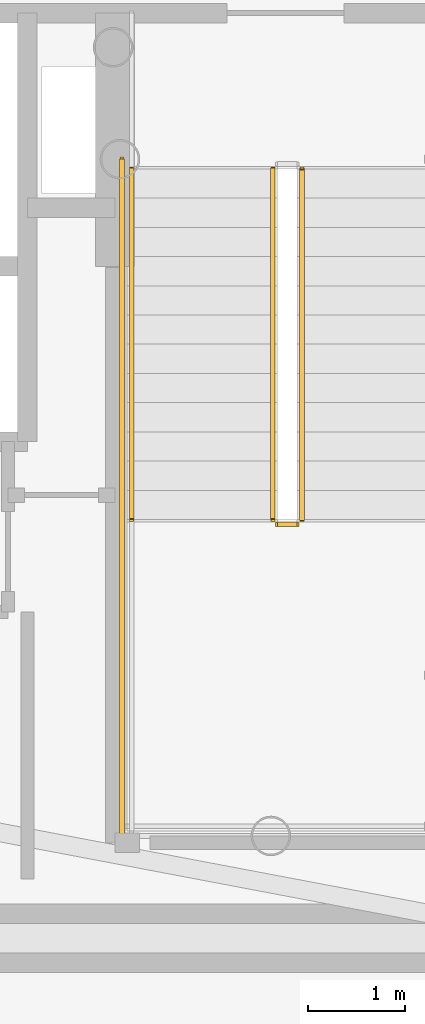
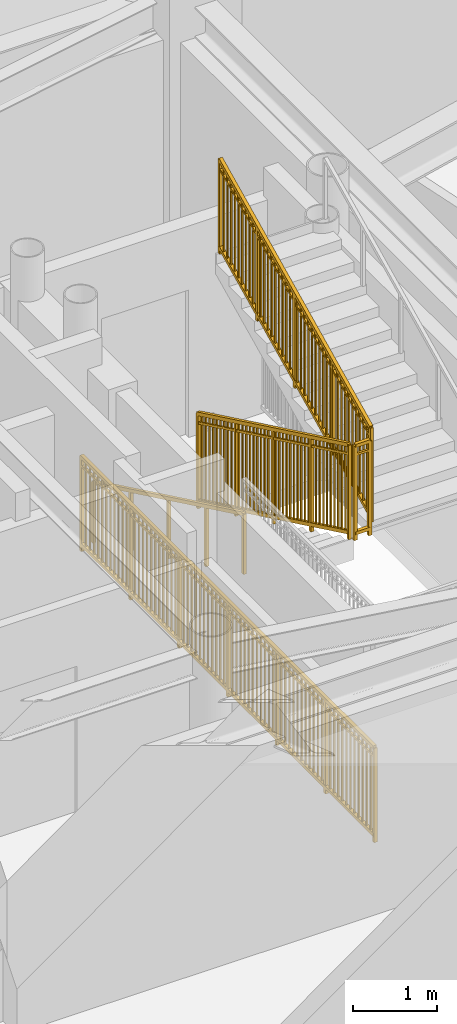
# One storey, part 16 of 19: 5 railings.
"""IFC4 building model written with IfcOpenShell, lengths in metres."""

from ifc_helpers import new_model, si_unit, direction, frame, origin, origin_2d, place, context, subcontext, project, spatial, rectangle, extrude, source, transform, mapped, material, type_object, element, save


model = new_model("IFC4")

# Units and contexts
model_context = context("Model", 3, precision=1e-05, world=origin(), true_north=direction((0.0, 1.0)))
body_context = subcontext(model_context, "Body", "Model", "MODEL_VIEW")
ifc_project = project(units=[si_unit("LENGTHUNIT", "METRE"), si_unit("AREAUNIT", "SQUARE_METRE"), si_unit("VOLUMEUNIT", "CUBIC_METRE"), si_unit("PLANEANGLEUNIT", "RADIAN"), si_unit("MASSUNIT", "GRAM", prefix="KILO")], contexts=[model_context])

# Site, building, storey
site_placement = place(None, origin())
site = spatial("IfcSite", under=ifc_project, at=site_placement, CompositionType="ELEMENT")
building_placement = place(site_placement, origin())
building = spatial("IfcBuilding", under=site, at=building_placement, Name="Linh Dai School and Residence Tower", CompositionType="ELEMENT")
storey_placement = place(building_placement, frame((0.0, 0.0, 247.800048828125)))
storey = spatial("IfcBuildingStorey", under=building, at=storey_placement, Name="L61", CompositionType="ELEMENT", Elevation=247.800048828125)

# Railings
ifc_material_1 = material(Name="Structural Steel S355JR", Category="steel")
railing_type_1 = type_object("IfcRailingType", Name="RL-ST-GUARD-1400", PredefinedType="GUARDRAIL", material=ifc_material_1)
shared_shape_1 = source(origin(), body_context, "Body", "SweptSolid", [
    extrude(rectangle(XDim=0.048095703125, YDim=0.048095703125, at=origin_2d()), frame((0.0, 0.0, 1.3759765625), z_axis=(0.0, 0.901262522062, 0.433273431364), x_axis=(-1.0, 0.0, 0.0)), (0.0, 0.0, 1.0), 3.994384765625),
    extrude(rectangle(XDim=0.048095703125, YDim=0.048095703125, at=origin_2d()), frame((0.0, 0.0, 0.10009765625), z_axis=(0.0, 0.901262522062, 0.433273431364), x_axis=(-1.0, 0.0, 0.0)), (0.0, 0.0, 1.0), 3.994384765625),
    extrude(rectangle(XDim=0.030029296875, YDim=0.030029296875, at=origin_2d()), frame((0.0, 0.0, 1.239990234375), z_axis=(0.0, 0.901262522062, 0.433273431364), x_axis=(-1.0, 0.0, 0.0)), (0.0, 0.0, 1.0), 3.994384765625),
    extrude(rectangle(XDim=0.02001953125, YDim=0.02001953125, at=origin_2d()), frame((0.0, 0.087890625, 0.142333984375)), (0.0, 0.0, 1.0), 1.251708984375),
    extrude(rectangle(XDim=0.02001953125, YDim=0.02001953125, at=origin_2d()), frame((0.0, 0.175537109375, 0.1845703125)), (0.0, 0.0, 1.0), 1.251708984375),
    extrude(rectangle(XDim=0.02001953125, YDim=0.02001953125, at=origin_2d()), frame((0.0, 0.263427734375, 0.226806640625)), (0.0, 0.0, 1.0), 1.251708984375),
    extrude(rectangle(XDim=0.02001953125, YDim=0.02001953125, at=origin_2d()), frame((0.0, 0.351318359375, 0.26904296875)), (0.0, 0.0, 1.0), 1.251708984375),
    extrude(rectangle(XDim=0.02001953125, YDim=0.02001953125, at=origin_2d()), frame((0.0, 0.43896484375, 0.311279296875)), (0.0, 0.0, 1.0), 1.251708984375),
    extrude(rectangle(XDim=0.02001953125, YDim=0.02001953125, at=origin_2d()), frame((0.0, 0.52685546875, 0.353271484375)), (0.0, 0.0, 1.0), 1.251708984375),
    extrude(rectangle(XDim=0.02001953125, YDim=0.02001953125, at=origin_2d()), frame((0.0, 0.61474609375, 0.3955078125)), (0.0, 0.0, 1.0), 1.251708984375),
    extrude(rectangle(XDim=0.02001953125, YDim=0.02001953125, at=origin_2d()), frame((0.0, 0.702392578125, 0.437744140625)), (0.0, 0.0, 1.0), 1.251708984375),
    extrude(rectangle(XDim=0.02001953125, YDim=0.02001953125, at=origin_2d()), frame((0.0, 0.790283203125, 0.47998046875)), (0.0, 0.0, 1.0), 1.251708984375),
    extrude(rectangle(XDim=0.02001953125, YDim=0.02001953125, at=origin_2d()), frame((0.0, 0.9658203125, 0.564453125)), (0.0, 0.0, 1.0), 1.251708984375),
    extrude(rectangle(XDim=0.02001953125, YDim=0.02001953125, at=origin_2d()), frame((0.0, 1.0537109375, 0.606689453125)), (0.0, 0.0, 1.0), 1.251708984375),
    extrude(rectangle(XDim=0.02001953125, YDim=0.02001953125, at=origin_2d()), frame((0.0, 1.1416015625, 0.64892578125)), (0.0, 0.0, 1.0), 1.251708984375),
    extrude(rectangle(XDim=0.02001953125, YDim=0.02001953125, at=origin_2d()), frame((0.0, 1.229248046875, 0.691162109375)), (0.0, 0.0, 1.0), 1.251708984375),
    extrude(rectangle(XDim=0.02001953125, YDim=0.02001953125, at=origin_2d()), frame((0.0, 1.317138671875, 0.7333984375)), (0.0, 0.0, 1.0), 1.251708984375),
    extrude(rectangle(XDim=0.02001953125, YDim=0.02001953125, at=origin_2d()), frame((0.0, 1.405029296875, 0.775390625)), (0.0, 0.0, 1.0), 1.251708984375),
    extrude(rectangle(XDim=0.02001953125, YDim=0.02001953125, at=origin_2d()), frame((0.0, 1.49267578125, 0.817626953125)), (0.0, 0.0, 1.0), 1.251708984375),
    extrude(rectangle(XDim=0.02001953125, YDim=0.02001953125, at=origin_2d()), frame((0.0, 1.58056640625, 0.85986328125)), (0.0, 0.0, 1.0), 1.251708984375),
    extrude(rectangle(XDim=0.02001953125, YDim=0.02001953125, at=origin_2d()), frame((0.0, 1.66845703125, 0.902099609375)), (0.0, 0.0, 1.0), 1.251708984375),
    extrude(rectangle(XDim=0.02001953125, YDim=0.02001953125, at=origin_2d()), frame((0.0, 1.756103515625, 0.9443359375)), (0.0, 0.0, 1.0), 1.251708984375),
    extrude(rectangle(XDim=0.02001953125, YDim=0.02001953125, at=origin_2d()), frame((0.0, 1.843994140625, 0.986572265625)), (0.0, 0.0, 1.0), 1.251708984375),
    extrude(rectangle(XDim=0.02001953125, YDim=0.02001953125, at=origin_2d()), frame((0.0, 1.931640625, 1.02880859375)), (0.0, 0.0, 1.0), 1.251708984375),
    extrude(rectangle(XDim=0.02001953125, YDim=0.02001953125, at=origin_2d()), frame((0.0, 2.01953125, 1.071044921875)), (0.0, 0.0, 1.0), 1.251708984375),
    extrude(rectangle(XDim=0.02001953125, YDim=0.02001953125, at=origin_2d()), frame((0.0, 2.107421875, 1.11328125)), (0.0, 0.0, 1.0), 1.251708984375),
    extrude(rectangle(XDim=0.02001953125, YDim=0.02001953125, at=origin_2d()), frame((0.0, 2.195068359375, 1.155517578125)), (0.0, 0.0, 1.0), 1.251708984375),
    extrude(rectangle(XDim=0.02001953125, YDim=0.02001953125, at=origin_2d()), frame((0.0, 2.282958984375, 1.197509765625)), (0.0, 0.0, 1.0), 1.251708984375),
    extrude(rectangle(XDim=0.02001953125, YDim=0.02001953125, at=origin_2d()), frame((0.0, 2.370849609375, 1.23974609375)), (0.0, 0.0, 1.0), 1.251708984375),
    extrude(rectangle(XDim=0.02001953125, YDim=0.02001953125, at=origin_2d()), frame((0.0, 2.45849609375, 1.281982421875)), (0.0, 0.0, 1.0), 1.251708984375),
    extrude(rectangle(XDim=0.02001953125, YDim=0.02001953125, at=origin_2d()), frame((0.0, 2.54638671875, 1.32421875)), (0.0, 0.0, 1.0), 1.251708984375),
    extrude(rectangle(XDim=0.02001953125, YDim=0.02001953125, at=origin_2d()), frame((0.0, 2.63427734375, 1.366455078125)), (0.0, 0.0, 1.0), 1.251708984375),
    extrude(rectangle(XDim=0.02001953125, YDim=0.02001953125, at=origin_2d()), frame((0.0, 2.809814453125, 1.450927734375)), (0.0, 0.0, 1.0), 1.251708984375),
    extrude(rectangle(XDim=0.02001953125, YDim=0.02001953125, at=origin_2d()), frame((0.0, 2.897705078125, 1.4931640625)), (0.0, 0.0, 1.0), 1.251708984375),
    extrude(rectangle(XDim=0.02001953125, YDim=0.02001953125, at=origin_2d()), frame((0.0, 2.9853515625, 1.535400390625)), (0.0, 0.0, 1.0), 1.251708984375),
    extrude(rectangle(XDim=0.02001953125, YDim=0.02001953125, at=origin_2d()), frame((0.0, 3.0732421875, 1.57763671875)), (0.0, 0.0, 1.0), 1.251708984375),
    extrude(rectangle(XDim=0.02001953125, YDim=0.02001953125, at=origin_2d()), frame((0.0, 3.1611328125, 1.61962890625)), (0.0, 0.0, 1.0), 1.251708984375),
    extrude(rectangle(XDim=0.02001953125, YDim=0.02001953125, at=origin_2d()), frame((0.0, 3.248779296875, 1.661865234375)), (0.0, 0.0, 1.0), 1.251708984375),
    extrude(rectangle(XDim=0.02001953125, YDim=0.02001953125, at=origin_2d()), frame((0.0, 3.336669921875, 1.7041015625)), (0.0, 0.0, 1.0), 1.251708984375),
    extrude(rectangle(XDim=0.02001953125, YDim=0.02001953125, at=origin_2d()), frame((0.0, 3.424560546875, 1.746337890625)), (0.0, 0.0, 1.0), 1.251708984375),
    extrude(rectangle(XDim=0.02001953125, YDim=0.02001953125, at=origin_2d()), frame((0.0, 3.51220703125, 1.78857421875)), (0.0, 0.0, 1.0), 1.251708984375),
    extrude(rectangle(XDim=0.0419921875, YDim=0.0419921875, at=origin_2d()), origin(), (0.0, 0.0, 1.0), 1.3759765625),
    extrude(rectangle(XDim=0.0419921875, YDim=0.0419921875, at=origin_2d()), frame((0.0, 0.89990234375, 0.4326171875)), (0.0, 0.0, 1.0), 1.3759765625),
    extrude(rectangle(XDim=0.0419921875, YDim=0.0419921875, at=origin_2d()), frame((0.0, 1.800048828125, 0.865234375)), (0.0, 0.0, 1.0), 1.3759765625),
    extrude(rectangle(XDim=0.0419921875, YDim=0.0419921875, at=origin_2d()), frame((0.0, 2.7001953125, 1.298095703125)), (0.0, 0.0, 1.0), 1.3759765625),
    extrude(rectangle(XDim=0.0419921875, YDim=0.0419921875, at=origin_2d()), frame((0.0, 3.60009765625, 1.730712890625)), (0.0, 0.0, 1.0), 1.3759765625),
])
railing_1_placement = place(storey_placement, frame((42.820068359375, 24.64990234375, 2.019287109375)))
element("IfcRailing", 1, at=railing_1_placement, inside=storey, type_object=railing_type_1, Name="L61 ST2 stair guard 6", PredefinedType="GUARDRAIL", context=body_context, shape_type="MappedRepresentation", body=[
    mapped(shared_shape_1, transform((0.0, 0.0, 0.0), x_axis=(1.0, 0.0, 0.0), y_axis=(0.0, 1.0, 0.0), z_axis=(0.0, 0.0, 1.0), scale=1.0)),
])
shared_shape_2 = source(origin(), body_context, "Body", "SweptSolid", [
    extrude(rectangle(XDim=0.048095703125, YDim=0.048095703125, at=origin_2d()), frame((0.0, 0.0, 1.3759765625), z_axis=(0.0, -0.901262522062, 0.433273431364), x_axis=(1.0, 0.0, 0.0)), (0.0, 0.0, 1.0), 3.994384765625),
    extrude(rectangle(XDim=0.048095703125, YDim=0.048095703125, at=origin_2d()), frame((0.0, 0.0, 0.10009765625), z_axis=(0.0, -0.901262522062, 0.433273431364), x_axis=(1.0, 0.0, 0.0)), (0.0, 0.0, 1.0), 3.994384765625),
    extrude(rectangle(XDim=0.030029296875, YDim=0.030029296875, at=origin_2d()), frame((0.0, 0.0, 1.239990234375), z_axis=(0.0, -0.901262522062, 0.433273431364), x_axis=(1.0, 0.0, 0.0)), (0.0, 0.0, 1.0), 3.994384765625),
    extrude(rectangle(XDim=0.02001953125, YDim=0.02001953125, at=origin_2d()), frame((0.0, -0.087890625, 0.142333984375)), (0.0, 0.0, 1.0), 1.251708984375),
    extrude(rectangle(XDim=0.02001953125, YDim=0.02001953125, at=origin_2d()), frame((0.0, -0.175537109375, 0.1845703125)), (0.0, 0.0, 1.0), 1.251708984375),
    extrude(rectangle(XDim=0.02001953125, YDim=0.02001953125, at=origin_2d()), frame((0.0, -0.263427734375, 0.226806640625)), (0.0, 0.0, 1.0), 1.251708984375),
    extrude(rectangle(XDim=0.02001953125, YDim=0.02001953125, at=origin_2d()), frame((0.0, -0.351318359375, 0.26904296875)), (0.0, 0.0, 1.0), 1.251708984375),
    extrude(rectangle(XDim=0.02001953125, YDim=0.02001953125, at=origin_2d()), frame((0.0, -0.43896484375, 0.311279296875)), (0.0, 0.0, 1.0), 1.251708984375),
    extrude(rectangle(XDim=0.02001953125, YDim=0.02001953125, at=origin_2d()), frame((0.0, -0.52685546875, 0.353271484375)), (0.0, 0.0, 1.0), 1.251708984375),
    extrude(rectangle(XDim=0.02001953125, YDim=0.02001953125, at=origin_2d()), frame((0.0, -0.61474609375, 0.3955078125)), (0.0, 0.0, 1.0), 1.251708984375),
    extrude(rectangle(XDim=0.02001953125, YDim=0.02001953125, at=origin_2d()), frame((0.0, -0.702392578125, 0.437744140625)), (0.0, 0.0, 1.0), 1.251708984375),
    extrude(rectangle(XDim=0.02001953125, YDim=0.02001953125, at=origin_2d()), frame((0.0, -0.790283203125, 0.47998046875)), (0.0, 0.0, 1.0), 1.251708984375),
    extrude(rectangle(XDim=0.02001953125, YDim=0.02001953125, at=origin_2d()), frame((0.0, -0.9658203125, 0.564453125)), (0.0, 0.0, 1.0), 1.251708984375),
    extrude(rectangle(XDim=0.02001953125, YDim=0.02001953125, at=origin_2d()), frame((0.0, -1.0537109375, 0.606689453125)), (0.0, 0.0, 1.0), 1.251708984375),
    extrude(rectangle(XDim=0.02001953125, YDim=0.02001953125, at=origin_2d()), frame((0.0, -1.1416015625, 0.64892578125)), (0.0, 0.0, 1.0), 1.251708984375),
    extrude(rectangle(XDim=0.02001953125, YDim=0.02001953125, at=origin_2d()), frame((0.0, -1.229248046875, 0.691162109375)), (0.0, 0.0, 1.0), 1.251708984375),
    extrude(rectangle(XDim=0.02001953125, YDim=0.02001953125, at=origin_2d()), frame((0.0, -1.317138671875, 0.7333984375)), (0.0, 0.0, 1.0), 1.251708984375),
    extrude(rectangle(XDim=0.02001953125, YDim=0.02001953125, at=origin_2d()), frame((0.0, -1.405029296875, 0.775390625)), (0.0, 0.0, 1.0), 1.251708984375),
    extrude(rectangle(XDim=0.02001953125, YDim=0.02001953125, at=origin_2d()), frame((0.0, -1.49267578125, 0.817626953125)), (0.0, 0.0, 1.0), 1.251708984375),
    extrude(rectangle(XDim=0.02001953125, YDim=0.02001953125, at=origin_2d()), frame((0.0, -1.58056640625, 0.85986328125)), (0.0, 0.0, 1.0), 1.251708984375),
    extrude(rectangle(XDim=0.02001953125, YDim=0.02001953125, at=origin_2d()), frame((0.0, -1.66845703125, 0.902099609375)), (0.0, 0.0, 1.0), 1.251708984375),
    extrude(rectangle(XDim=0.02001953125, YDim=0.02001953125, at=origin_2d()), frame((0.0, -1.756103515625, 0.9443359375)), (0.0, 0.0, 1.0), 1.251708984375),
    extrude(rectangle(XDim=0.02001953125, YDim=0.02001953125, at=origin_2d()), frame((0.0, -1.843994140625, 0.986572265625)), (0.0, 0.0, 1.0), 1.251708984375),
    extrude(rectangle(XDim=0.02001953125, YDim=0.02001953125, at=origin_2d()), frame((0.0, -1.931640625, 1.02880859375)), (0.0, 0.0, 1.0), 1.251708984375),
    extrude(rectangle(XDim=0.02001953125, YDim=0.02001953125, at=origin_2d()), frame((0.0, -2.01953125, 1.071044921875)), (0.0, 0.0, 1.0), 1.251708984375),
    extrude(rectangle(XDim=0.02001953125, YDim=0.02001953125, at=origin_2d()), frame((0.0, -2.107421875, 1.11328125)), (0.0, 0.0, 1.0), 1.251708984375),
    extrude(rectangle(XDim=0.02001953125, YDim=0.02001953125, at=origin_2d()), frame((0.0, -2.195068359375, 1.155517578125)), (0.0, 0.0, 1.0), 1.251708984375),
    extrude(rectangle(XDim=0.02001953125, YDim=0.02001953125, at=origin_2d()), frame((0.0, -2.282958984375, 1.197509765625)), (0.0, 0.0, 1.0), 1.251708984375),
    extrude(rectangle(XDim=0.02001953125, YDim=0.02001953125, at=origin_2d()), frame((0.0, -2.370849609375, 1.23974609375)), (0.0, 0.0, 1.0), 1.251708984375),
    extrude(rectangle(XDim=0.02001953125, YDim=0.02001953125, at=origin_2d()), frame((0.0, -2.45849609375, 1.281982421875)), (0.0, 0.0, 1.0), 1.251708984375),
    extrude(rectangle(XDim=0.02001953125, YDim=0.02001953125, at=origin_2d()), frame((0.0, -2.54638671875, 1.32421875)), (0.0, 0.0, 1.0), 1.251708984375),
    extrude(rectangle(XDim=0.02001953125, YDim=0.02001953125, at=origin_2d()), frame((0.0, -2.63427734375, 1.366455078125)), (0.0, 0.0, 1.0), 1.251708984375),
    extrude(rectangle(XDim=0.02001953125, YDim=0.02001953125, at=origin_2d()), frame((0.0, -2.809814453125, 1.450927734375)), (0.0, 0.0, 1.0), 1.251708984375),
    extrude(rectangle(XDim=0.02001953125, YDim=0.02001953125, at=origin_2d()), frame((0.0, -2.897705078125, 1.4931640625)), (0.0, 0.0, 1.0), 1.251708984375),
    extrude(rectangle(XDim=0.02001953125, YDim=0.02001953125, at=origin_2d()), frame((0.0, -2.9853515625, 1.535400390625)), (0.0, 0.0, 1.0), 1.251708984375),
    extrude(rectangle(XDim=0.02001953125, YDim=0.02001953125, at=origin_2d()), frame((0.0, -3.0732421875, 1.57763671875)), (0.0, 0.0, 1.0), 1.251708984375),
    extrude(rectangle(XDim=0.02001953125, YDim=0.02001953125, at=origin_2d()), frame((0.0, -3.1611328125, 1.61962890625)), (0.0, 0.0, 1.0), 1.251708984375),
    extrude(rectangle(XDim=0.02001953125, YDim=0.02001953125, at=origin_2d()), frame((0.0, -3.248779296875, 1.661865234375)), (0.0, 0.0, 1.0), 1.251708984375),
    extrude(rectangle(XDim=0.02001953125, YDim=0.02001953125, at=origin_2d()), frame((0.0, -3.336669921875, 1.7041015625)), (0.0, 0.0, 1.0), 1.251708984375),
    extrude(rectangle(XDim=0.02001953125, YDim=0.02001953125, at=origin_2d()), frame((0.0, -3.424560546875, 1.746337890625)), (0.0, 0.0, 1.0), 1.251708984375),
    extrude(rectangle(XDim=0.02001953125, YDim=0.02001953125, at=origin_2d()), frame((0.0, -3.51220703125, 1.78857421875)), (0.0, 0.0, 1.0), 1.251708984375),
    extrude(rectangle(XDim=0.0419921875, YDim=0.0419921875, at=origin_2d()), origin(), (0.0, 0.0, 1.0), 1.3759765625),
    extrude(rectangle(XDim=0.0419921875, YDim=0.0419921875, at=origin_2d()), frame((0.0, -0.89990234375, 0.4326171875)), (0.0, 0.0, 1.0), 1.3759765625),
    extrude(rectangle(XDim=0.0419921875, YDim=0.0419921875, at=origin_2d()), frame((0.0, -1.800048828125, 0.865234375)), (0.0, 0.0, 1.0), 1.3759765625),
    extrude(rectangle(XDim=0.0419921875, YDim=0.0419921875, at=origin_2d()), frame((0.0, -2.7001953125, 1.298095703125)), (0.0, 0.0, 1.0), 1.3759765625),
    extrude(rectangle(XDim=0.0419921875, YDim=0.0419921875, at=origin_2d()), frame((0.0, -3.60009765625, 1.730712890625)), (0.0, 0.0, 1.0), 1.3759765625),
])
railing_2_placement = place(storey_placement, frame((42.52001953125, 28.25, 0.144287109375)))
element("IfcRailing", 2, at=railing_2_placement, inside=storey, type_object=railing_type_1, Name="L61 ST2 stair guard 1", PredefinedType="GUARDRAIL", context=body_context, shape_type="MappedRepresentation", body=[
    mapped(shared_shape_2, transform((0.0, 0.0, 0.0), x_axis=(1.0, 0.0, 0.0), y_axis=(0.0, 1.0, 0.0), z_axis=(0.0, 0.0, 1.0), scale=1.0)),
])
ifc_material_2 = material(Name="Brushed Stainless Steel Handrail", Category="steel")
railing_type_2 = type_object("IfcRailingType", Name="RL-ST-HANDRAIL-900", PredefinedType="HANDRAIL", material=ifc_material_2)
shared_shape_3 = source(origin(), body_context, "Body", "SweptSolid", [
    extrude(rectangle(XDim=0.048095703125, YDim=0.048095703125, at=origin_2d()), frame((0.0, 0.0, 0.8759765625), z_axis=(0.0, -0.901262522062, 0.433273431364), x_axis=(1.0, 0.0, 0.0)), (0.0, 0.0, 1.0), 3.994384765625),
    extrude(rectangle(XDim=0.0419921875, YDim=0.0419921875, at=origin_2d()), origin(), (0.0, 0.0, 1.0), 0.8759765625),
    extrude(rectangle(XDim=0.0419921875, YDim=0.0419921875, at=origin_2d()), frame((0.0, -0.89990234375, 0.4326171875)), (0.0, 0.0, 1.0), 0.8759765625),
    extrude(rectangle(XDim=0.0419921875, YDim=0.0419921875, at=origin_2d()), frame((0.0, -1.800048828125, 0.865234375)), (0.0, 0.0, 1.0), 0.8759765625),
    extrude(rectangle(XDim=0.0419921875, YDim=0.0419921875, at=origin_2d()), frame((0.0, -2.7001953125, 1.298095703125)), (0.0, 0.0, 1.0), 0.8759765625),
    extrude(rectangle(XDim=0.0419921875, YDim=0.0419921875, at=origin_2d()), frame((0.0, -3.60009765625, 1.730712890625)), (0.0, 0.0, 1.0), 0.8759765625),
])
railing_3_placement = place(storey_placement, frame((41.070068359375, 28.25, 0.144287109375)))
element("IfcRailing", 3, at=railing_3_placement, inside=storey, type_object=railing_type_2, Name="L61 ST2 stair handrail 1", PredefinedType="HANDRAIL", context=body_context, shape_type="MappedRepresentation", body=[
    mapped(shared_shape_3, transform((0.0, 0.0, 0.0), x_axis=(1.0, 0.0, 0.0), y_axis=(0.0, 1.0, 0.0), z_axis=(0.0, 0.0, 1.0), scale=1.0)),
])
shared_shape_4 = source(origin(), body_context, "Body", "SweptSolid", [
    extrude(rectangle(XDim=0.048095703125, YDim=0.048095703125, at=origin_2d()), frame((0.0, 0.0, 1.3759765625), z_axis=(1.0, 0.0, 0.0), x_axis=(0.0, 1.0, 0.0)), (0.0, 0.0, 1.0), 0.199951171875),
    extrude(rectangle(XDim=0.048095703125, YDim=0.048095703125, at=origin_2d()), frame((0.0, 0.0, 0.10009765625), z_axis=(1.0, 0.0, 0.0), x_axis=(0.0, 1.0, 0.0)), (0.0, 0.0, 1.0), 0.199951171875),
    extrude(rectangle(XDim=0.030029296875, YDim=0.030029296875, at=origin_2d()), frame((0.0, 0.0, 1.239990234375), z_axis=(1.0, 0.0, 0.0), x_axis=(0.0, 1.0, 0.0)), (0.0, 0.0, 1.0), 0.199951171875),
    extrude(rectangle(XDim=0.0419921875, YDim=0.0419921875, at=origin_2d()), origin(), (0.0, 0.0, 1.0), 1.3759765625),
    extrude(rectangle(XDim=0.0419921875, YDim=0.0419921875, at=origin_2d()), frame((0.199951171875, 0.0, 0.0)), (0.0, 0.0, 1.0), 1.3759765625),
])
railing_4_placement = place(storey_placement, frame((42.570068359375, 24.60009765625, 1.875)))
element("IfcRailing", 4, at=railing_4_placement, inside=storey, type_object=railing_type_1, Name="L61 ST2 stair guard 2", PredefinedType="GUARDRAIL", context=body_context, shape_type="MappedRepresentation", body=[
    mapped(shared_shape_4, transform((0.0, 0.0, 0.0), x_axis=(1.0, 0.0, 0.0), y_axis=(0.0, 1.0, 0.0), z_axis=(0.0, 0.0, 1.0), scale=1.0)),
])
shared_shape_5 = source(origin(), body_context, "Body", "SweptSolid", [
    extrude(rectangle(XDim=0.048095703125, YDim=0.048095703125, at=origin_2d()), frame((0.0, 0.0, 1.3759765625), z_axis=(0.0, -1.0, 0.0), x_axis=(1.0, 0.0, 0.0)), (0.0, 0.0, 1.0), 7.0),
    extrude(rectangle(XDim=0.048095703125, YDim=0.048095703125, at=origin_2d()), frame((0.0, 0.0, 0.10009765625), z_axis=(0.0, -1.0, 0.0), x_axis=(1.0, 0.0, 0.0)), (0.0, 0.0, 1.0), 7.0),
    extrude(rectangle(XDim=0.030029296875, YDim=0.030029296875, at=origin_2d()), frame((0.0, 0.0, 1.239990234375), z_axis=(0.0, -1.0, 0.0), x_axis=(1.0, 0.0, 0.0)), (0.0, 0.0, 1.0), 7.0),
    extrude(rectangle(XDim=0.02001953125, YDim=0.02001953125, at=origin_2d()), frame((0.0, -0.09716796875, 0.10009765625)), (0.0, 0.0, 1.0), 1.251708984375),
    extrude(rectangle(XDim=0.02001953125, YDim=0.02001953125, at=origin_2d()), frame((0.0, -0.1943359375, 0.10009765625)), (0.0, 0.0, 1.0), 1.251708984375),
    extrude(rectangle(XDim=0.02001953125, YDim=0.02001953125, at=origin_2d()), frame((0.0, -0.291748046875, 0.10009765625)), (0.0, 0.0, 1.0), 1.251708984375),
    extrude(rectangle(XDim=0.02001953125, YDim=0.02001953125, at=origin_2d()), frame((0.0, -0.388916015625, 0.10009765625)), (0.0, 0.0, 1.0), 1.251708984375),
    extrude(rectangle(XDim=0.02001953125, YDim=0.02001953125, at=origin_2d()), frame((0.0, -0.486083984375, 0.10009765625)), (0.0, 0.0, 1.0), 1.251708984375),
    extrude(rectangle(XDim=0.02001953125, YDim=0.02001953125, at=origin_2d()), frame((0.0, -0.583251953125, 0.10009765625)), (0.0, 0.0, 1.0), 1.251708984375),
    extrude(rectangle(XDim=0.02001953125, YDim=0.02001953125, at=origin_2d()), frame((0.0, -0.6806640625, 0.10009765625)), (0.0, 0.0, 1.0), 1.251708984375),
    extrude(rectangle(XDim=0.02001953125, YDim=0.02001953125, at=origin_2d()), frame((0.0, -0.77783203125, 0.10009765625)), (0.0, 0.0, 1.0), 1.251708984375),
    extrude(rectangle(XDim=0.02001953125, YDim=0.02001953125, at=origin_2d()), frame((0.0, -0.875, 0.10009765625)), (0.0, 0.0, 1.0), 1.251708984375),
    extrude(rectangle(XDim=0.02001953125, YDim=0.02001953125, at=origin_2d()), frame((0.0, -0.97216796875, 0.10009765625)), (0.0, 0.0, 1.0), 1.251708984375),
    extrude(rectangle(XDim=0.02001953125, YDim=0.02001953125, at=origin_2d()), frame((0.0, -1.0693359375, 0.10009765625)), (0.0, 0.0, 1.0), 1.251708984375),
    extrude(rectangle(XDim=0.02001953125, YDim=0.02001953125, at=origin_2d()), frame((0.0, -1.263916015625, 0.10009765625)), (0.0, 0.0, 1.0), 1.251708984375),
    extrude(rectangle(XDim=0.02001953125, YDim=0.02001953125, at=origin_2d()), frame((0.0, -1.361083984375, 0.10009765625)), (0.0, 0.0, 1.0), 1.251708984375),
    extrude(rectangle(XDim=0.02001953125, YDim=0.02001953125, at=origin_2d()), frame((0.0, -1.458251953125, 0.10009765625)), (0.0, 0.0, 1.0), 1.251708984375),
    extrude(rectangle(XDim=0.02001953125, YDim=0.02001953125, at=origin_2d()), frame((0.0, -1.5556640625, 0.10009765625)), (0.0, 0.0, 1.0), 1.251708984375),
    extrude(rectangle(XDim=0.02001953125, YDim=0.02001953125, at=origin_2d()), frame((0.0, -1.65283203125, 0.10009765625)), (0.0, 0.0, 1.0), 1.251708984375),
    extrude(rectangle(XDim=0.02001953125, YDim=0.02001953125, at=origin_2d()), frame((0.0, -1.75, 0.10009765625)), (0.0, 0.0, 1.0), 1.251708984375),
    extrude(rectangle(XDim=0.02001953125, YDim=0.02001953125, at=origin_2d()), frame((0.0, -1.84716796875, 0.10009765625)), (0.0, 0.0, 1.0), 1.251708984375),
    extrude(rectangle(XDim=0.02001953125, YDim=0.02001953125, at=origin_2d()), frame((0.0, -1.9443359375, 0.10009765625)), (0.0, 0.0, 1.0), 1.251708984375),
    extrude(rectangle(XDim=0.02001953125, YDim=0.02001953125, at=origin_2d()), frame((0.0, -2.041748046875, 0.10009765625)), (0.0, 0.0, 1.0), 1.251708984375),
    extrude(rectangle(XDim=0.02001953125, YDim=0.02001953125, at=origin_2d()), frame((0.0, -2.138916015625, 0.10009765625)), (0.0, 0.0, 1.0), 1.251708984375),
    extrude(rectangle(XDim=0.02001953125, YDim=0.02001953125, at=origin_2d()), frame((0.0, -2.236083984375, 0.10009765625)), (0.0, 0.0, 1.0), 1.251708984375),
    extrude(rectangle(XDim=0.02001953125, YDim=0.02001953125, at=origin_2d()), frame((0.0, -2.4306640625, 0.10009765625)), (0.0, 0.0, 1.0), 1.251708984375),
    extrude(rectangle(XDim=0.02001953125, YDim=0.02001953125, at=origin_2d()), frame((0.0, -2.52783203125, 0.10009765625)), (0.0, 0.0, 1.0), 1.251708984375),
    extrude(rectangle(XDim=0.02001953125, YDim=0.02001953125, at=origin_2d()), frame((0.0, -2.625, 0.10009765625)), (0.0, 0.0, 1.0), 1.251708984375),
    extrude(rectangle(XDim=0.02001953125, YDim=0.02001953125, at=origin_2d()), frame((0.0, -2.72216796875, 0.10009765625)), (0.0, 0.0, 1.0), 1.251708984375),
    extrude(rectangle(XDim=0.02001953125, YDim=0.02001953125, at=origin_2d()), frame((0.0, -2.8193359375, 0.10009765625)), (0.0, 0.0, 1.0), 1.251708984375),
    extrude(rectangle(XDim=0.02001953125, YDim=0.02001953125, at=origin_2d()), frame((0.0, -2.916748046875, 0.10009765625)), (0.0, 0.0, 1.0), 1.251708984375),
    extrude(rectangle(XDim=0.02001953125, YDim=0.02001953125, at=origin_2d()), frame((0.0, -3.013916015625, 0.10009765625)), (0.0, 0.0, 1.0), 1.251708984375),
    extrude(rectangle(XDim=0.02001953125, YDim=0.02001953125, at=origin_2d()), frame((0.0, -3.111083984375, 0.10009765625)), (0.0, 0.0, 1.0), 1.251708984375),
    extrude(rectangle(XDim=0.02001953125, YDim=0.02001953125, at=origin_2d()), frame((0.0, -3.208251953125, 0.10009765625)), (0.0, 0.0, 1.0), 1.251708984375),
    extrude(rectangle(XDim=0.02001953125, YDim=0.02001953125, at=origin_2d()), frame((0.0, -3.3056640625, 0.10009765625)), (0.0, 0.0, 1.0), 1.251708984375),
    extrude(rectangle(XDim=0.02001953125, YDim=0.02001953125, at=origin_2d()), frame((0.0, -3.40283203125, 0.10009765625)), (0.0, 0.0, 1.0), 1.251708984375),
    extrude(rectangle(XDim=0.02001953125, YDim=0.02001953125, at=origin_2d()), frame((0.0, -3.59716796875, 0.10009765625)), (0.0, 0.0, 1.0), 1.251708984375),
    extrude(rectangle(XDim=0.02001953125, YDim=0.02001953125, at=origin_2d()), frame((0.0, -3.6943359375, 0.10009765625)), (0.0, 0.0, 1.0), 1.251708984375),
    extrude(rectangle(XDim=0.02001953125, YDim=0.02001953125, at=origin_2d()), frame((0.0, -3.791748046875, 0.10009765625)), (0.0, 0.0, 1.0), 1.251708984375),
    extrude(rectangle(XDim=0.02001953125, YDim=0.02001953125, at=origin_2d()), frame((0.0, -3.888916015625, 0.10009765625)), (0.0, 0.0, 1.0), 1.251708984375),
    extrude(rectangle(XDim=0.02001953125, YDim=0.02001953125, at=origin_2d()), frame((0.0, -3.986083984375, 0.10009765625)), (0.0, 0.0, 1.0), 1.251708984375),
    extrude(rectangle(XDim=0.02001953125, YDim=0.02001953125, at=origin_2d()), frame((0.0, -4.083251953125, 0.10009765625)), (0.0, 0.0, 1.0), 1.251708984375),
    extrude(rectangle(XDim=0.02001953125, YDim=0.02001953125, at=origin_2d()), frame((0.0, -4.1806640625, 0.10009765625)), (0.0, 0.0, 1.0), 1.251708984375),
    extrude(rectangle(XDim=0.02001953125, YDim=0.02001953125, at=origin_2d()), frame((0.0, -4.27783203125, 0.10009765625)), (0.0, 0.0, 1.0), 1.251708984375),
    extrude(rectangle(XDim=0.02001953125, YDim=0.02001953125, at=origin_2d()), frame((0.0, -4.375, 0.10009765625)), (0.0, 0.0, 1.0), 1.251708984375),
    extrude(rectangle(XDim=0.02001953125, YDim=0.02001953125, at=origin_2d()), frame((0.0, -4.47216796875, 0.10009765625)), (0.0, 0.0, 1.0), 1.251708984375),
    extrude(rectangle(XDim=0.02001953125, YDim=0.02001953125, at=origin_2d()), frame((0.0, -4.5693359375, 0.10009765625)), (0.0, 0.0, 1.0), 1.251708984375),
    extrude(rectangle(XDim=0.02001953125, YDim=0.02001953125, at=origin_2d()), frame((0.0, -4.763916015625, 0.10009765625)), (0.0, 0.0, 1.0), 1.251708984375),
    extrude(rectangle(XDim=0.02001953125, YDim=0.02001953125, at=origin_2d()), frame((0.0, -4.861083984375, 0.10009765625)), (0.0, 0.0, 1.0), 1.251708984375),
    extrude(rectangle(XDim=0.02001953125, YDim=0.02001953125, at=origin_2d()), frame((0.0, -4.958251953125, 0.10009765625)), (0.0, 0.0, 1.0), 1.251708984375),
    extrude(rectangle(XDim=0.02001953125, YDim=0.02001953125, at=origin_2d()), frame((0.0, -5.0556640625, 0.10009765625)), (0.0, 0.0, 1.0), 1.251708984375),
    extrude(rectangle(XDim=0.02001953125, YDim=0.02001953125, at=origin_2d()), frame((0.0, -5.15283203125, 0.10009765625)), (0.0, 0.0, 1.0), 1.251708984375),
    extrude(rectangle(XDim=0.02001953125, YDim=0.02001953125, at=origin_2d()), frame((0.0, -5.25, 0.10009765625)), (0.0, 0.0, 1.0), 1.251708984375),
    extrude(rectangle(XDim=0.02001953125, YDim=0.02001953125, at=origin_2d()), frame((0.0, -5.34716796875, 0.10009765625)), (0.0, 0.0, 1.0), 1.251708984375),
    extrude(rectangle(XDim=0.02001953125, YDim=0.02001953125, at=origin_2d()), frame((0.0, -5.4443359375, 0.10009765625)), (0.0, 0.0, 1.0), 1.251708984375),
    extrude(rectangle(XDim=0.02001953125, YDim=0.02001953125, at=origin_2d()), frame((0.0, -5.541748046875, 0.10009765625)), (0.0, 0.0, 1.0), 1.251708984375),
    extrude(rectangle(XDim=0.02001953125, YDim=0.02001953125, at=origin_2d()), frame((0.0, -5.638916015625, 0.10009765625)), (0.0, 0.0, 1.0), 1.251708984375),
    extrude(rectangle(XDim=0.02001953125, YDim=0.02001953125, at=origin_2d()), frame((0.0, -5.736083984375, 0.10009765625)), (0.0, 0.0, 1.0), 1.251708984375),
    extrude(rectangle(XDim=0.02001953125, YDim=0.02001953125, at=origin_2d()), frame((0.0, -5.9306640625, 0.10009765625)), (0.0, 0.0, 1.0), 1.251708984375),
    extrude(rectangle(XDim=0.02001953125, YDim=0.02001953125, at=origin_2d()), frame((0.0, -6.02783203125, 0.10009765625)), (0.0, 0.0, 1.0), 1.251708984375),
    extrude(rectangle(XDim=0.02001953125, YDim=0.02001953125, at=origin_2d()), frame((0.0, -6.125, 0.10009765625)), (0.0, 0.0, 1.0), 1.251708984375),
    extrude(rectangle(XDim=0.02001953125, YDim=0.02001953125, at=origin_2d()), frame((0.0, -6.22216796875, 0.10009765625)), (0.0, 0.0, 1.0), 1.251708984375),
    extrude(rectangle(XDim=0.02001953125, YDim=0.02001953125, at=origin_2d()), frame((0.0, -6.3193359375, 0.10009765625)), (0.0, 0.0, 1.0), 1.251708984375),
    extrude(rectangle(XDim=0.02001953125, YDim=0.02001953125, at=origin_2d()), frame((0.0, -6.416748046875, 0.10009765625)), (0.0, 0.0, 1.0), 1.251708984375),
    extrude(rectangle(XDim=0.02001953125, YDim=0.02001953125, at=origin_2d()), frame((0.0, -6.513916015625, 0.10009765625)), (0.0, 0.0, 1.0), 1.251708984375),
    extrude(rectangle(XDim=0.02001953125, YDim=0.02001953125, at=origin_2d()), frame((0.0, -6.611083984375, 0.10009765625)), (0.0, 0.0, 1.0), 1.251708984375),
    extrude(rectangle(XDim=0.02001953125, YDim=0.02001953125, at=origin_2d()), frame((0.0, -6.708251953125, 0.10009765625)), (0.0, 0.0, 1.0), 1.251708984375),
    extrude(rectangle(XDim=0.02001953125, YDim=0.02001953125, at=origin_2d()), frame((0.0, -6.8056640625, 0.10009765625)), (0.0, 0.0, 1.0), 1.251708984375),
    extrude(rectangle(XDim=0.02001953125, YDim=0.02001953125, at=origin_2d()), frame((0.0, -6.90283203125, 0.10009765625)), (0.0, 0.0, 1.0), 1.251708984375),
    extrude(rectangle(XDim=0.0419921875, YDim=0.0419921875, at=origin_2d()), origin(), (0.0, 0.0, 1.0), 1.3759765625),
    extrude(rectangle(XDim=0.0419921875, YDim=0.0419921875, at=origin_2d()), frame((0.0, -1.166748046875, 0.0)), (0.0, 0.0, 1.0), 1.3759765625),
    extrude(rectangle(XDim=0.0419921875, YDim=0.0419921875, at=origin_2d()), frame((0.0, -2.333251953125, 0.0)), (0.0, 0.0, 1.0), 1.3759765625),
    extrude(rectangle(XDim=0.0419921875, YDim=0.0419921875, at=origin_2d()), frame((0.0, -3.5, 0.0)), (0.0, 0.0, 1.0), 1.3759765625),
    extrude(rectangle(XDim=0.0419921875, YDim=0.0419921875, at=origin_2d()), frame((0.0, -4.666748046875, 0.0)), (0.0, 0.0, 1.0), 1.3759765625),
    extrude(rectangle(XDim=0.0419921875, YDim=0.0419921875, at=origin_2d()), frame((0.0, -5.833251953125, 0.0)), (0.0, 0.0, 1.0), 1.3759765625),
    extrude(rectangle(XDim=0.0419921875, YDim=0.0419921875, at=origin_2d()), frame((0.0, -7.0, 0.0)), (0.0, 0.0, 1.0), 1.3759765625),
])
railing_5_placement = place(storey_placement, frame((40.969970703125, 28.35009765625, 0.0)))
element("IfcRailing", 5, at=railing_5_placement, inside=storey, type_object=railing_type_1, Name="L61 ST2 stair guard 10", PredefinedType="GUARDRAIL", context=body_context, shape_type="MappedRepresentation", body=[
    mapped(shared_shape_5, transform((0.0, 0.0, 0.0), x_axis=(1.0, 0.0, 0.0), y_axis=(0.0, 1.0, 0.0), z_axis=(0.0, 0.0, 1.0), scale=1.0)),
])

save(model, "model.ifc")
